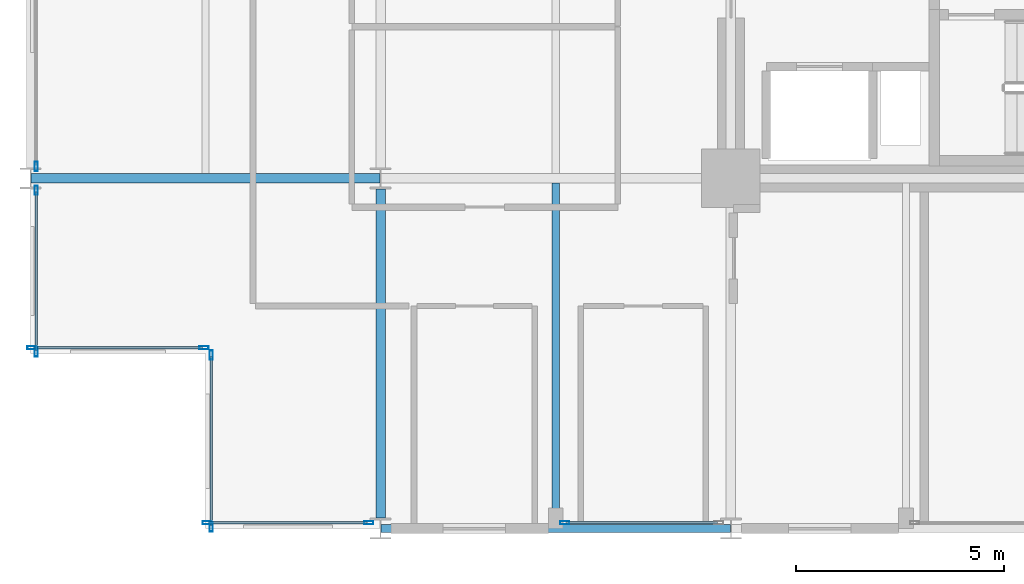
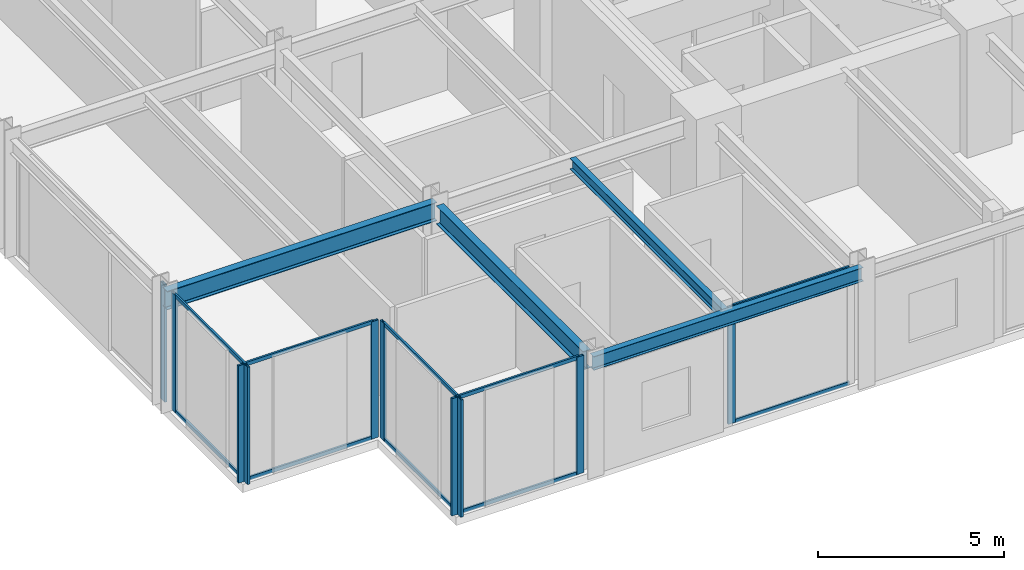
# One storey, part 4 of 26: 20 members, 4 beams, 6 elements without a shape of their own.
"""IFC4 building model written with IfcOpenShell, lengths in metres."""

from ifc_helpers import new_model, si_unit, direction, frame, origin, origin_2d, place, context, subcontext, project, spatial, hollow_rectangle, i_section, extrude, material, layer, layer_set, material_profile, profile_set, type_object, element, aggregate, save


model = new_model("IFC4")

# Units and contexts
model_context = context("Model", 3, precision=1e-05, world=origin(), true_north=direction((0.0, 1.0)))
body_context = subcontext(model_context, "Body", "Model", "MODEL_VIEW")
ifc_project = project(units=[si_unit("LENGTHUNIT", "METRE"), si_unit("AREAUNIT", "SQUARE_METRE"), si_unit("VOLUMEUNIT", "CUBIC_METRE"), si_unit("PLANEANGLEUNIT", "RADIAN"), si_unit("MASSUNIT", "GRAM", prefix="KILO")], contexts=[model_context])

# Site, building, storey
site_placement = place(None, origin())
site = spatial("IfcSite", under=ifc_project, at=site_placement, CompositionType="ELEMENT")
building_placement = place(site_placement, origin())
building = spatial("IfcBuilding", under=site, at=building_placement, Name="Nerrivon Quay Data Exchange", CompositionType="ELEMENT")
storey_placement = place(building_placement, frame((0.0, 0.0, 75.199951171875)))
storey = spatial("IfcBuildingStorey", under=building, at=storey_placement, Name="L17", CompositionType="ELEMENT", Elevation=75.199951171875)

# Beams
ifc_material_1 = material(Name="Steel Grade 350", Category="steel")
ifc_material_profile_1 = material_profile(ifc_material_1, i_section(OverallWidth=0.22900390625, OverallDepth=0.612060546875, WebThickness=0.011962890625, FlangeThickness=0.01953125, FilletRadius=0.013916015625, at=origin_2d()), Name="610UB125")
ifc_profile_set_1 = profile_set([ifc_material_profile_1], Name="Steel Grade 350")
beam_type_1 = type_object("IfcBeamType", Name="BM-G1-610UB125", PredefinedType="BEAM", material=ifc_profile_set_1)
beam_1_placement = place(storey_placement, frame((0.013916015625, 8.39990234375, 3.5439453125), z_axis=(1.0, 0.0, 0.0), x_axis=(0.0, 1.0, 0.0)))
element("IfcBeam", 1, at=beam_1_placement, inside=storey, type_object=beam_type_1, Name="L17 EW Girder Y=8.4 (0.0..8.4)", PredefinedType="BEAM", context=body_context, shape_type="SweptSolid", body=[
    extrude(i_section(OverallWidth=0.22900390625, OverallDepth=0.612060546875, WebThickness=0.011962890625, FlangeThickness=0.01953125, FilletRadius=0.013916015625, at=origin_2d()), origin(), (0.0, 0.0, 1.0), 8.3720703125),
])
ifc_material_profile_2 = material_profile(ifc_material_1, i_section(OverallWidth=0.22802734375, OverallDepth=0.60205078125, WebThickness=0.010498046875, FlangeThickness=0.014892578125, FilletRadius=0.013916015625, at=origin_2d()), Name="610UB101")
ifc_profile_set_2 = profile_set([ifc_material_profile_2], Name="Steel Grade 350")
beam_type_2 = type_object("IfcBeamType", Name="BM-G2-610UB101", PredefinedType="BEAM", material=ifc_profile_set_2)
beam_2_placement = place(storey_placement, frame((8.39990234375, 0.25, 3.549072265625), z_axis=(0.0, 1.0, 0.0), x_axis=(-1.0, 0.0, 0.0)))
element("IfcBeam", 2, at=beam_2_placement, inside=storey, type_object=beam_type_2, Name="L17 NS Girder X=8.4 (0.0..8.4)", PredefinedType="BEAM", context=body_context, shape_type="SweptSolid", body=[
    extrude(i_section(OverallWidth=0.22802734375, OverallDepth=0.60205078125, WebThickness=0.010498046875, FlangeThickness=0.014892578125, FilletRadius=0.013916015625, at=origin_2d()), origin(), (0.0, 0.0, 1.0), 7.89990234375),
])
ifc_material_profile_3 = material_profile(ifc_material_1, i_section(OverallWidth=0.172119140625, OverallDepth=0.35888671875, WebThickness=0.008056640625, FlangeThickness=0.012939453125, FilletRadius=0.011474609375, at=origin_2d()), Name="360UB56.7")
ifc_profile_set_3 = profile_set([ifc_material_profile_3], Name="Steel Grade 350")
beam_type_3 = type_object("IfcBeamType", Name="BM-J3-360UB57", PredefinedType="JOIST", material=ifc_profile_set_3)
beam_3_placement = place(storey_placement, frame((12.60009765625, 0.094970703125, 3.670654296875), z_axis=(0.0, 1.0, 0.0), x_axis=(-1.0, 0.0, 0.0)))
element("IfcBeam", 3, at=beam_3_placement, inside=storey, type_object=beam_type_3, Name="L17 Secondary Joist X=12.6 (0.0..8.4)", PredefinedType="JOIST", context=body_context, shape_type="SweptSolid", body=[
    extrude(i_section(OverallWidth=0.172119140625, OverallDepth=0.35888671875, WebThickness=0.008056640625, FlangeThickness=0.012939453125, FilletRadius=0.011474609375, at=origin_2d()), origin(), (0.0, 0.0, 1.0), 8.1904296875),
])
ifc_material_profile_4 = material_profile(ifc_material_1, i_section(OverallWidth=0.18994140625, OverallDepth=0.4541015625, WebThickness=0.008544921875, FlangeThickness=0.0126953125, FilletRadius=0.011474609375, at=origin_2d()), Name="460UB67.1")
ifc_profile_set_4 = profile_set([ifc_material_profile_4], Name="Steel Grade 350")
beam_type_4 = type_object("IfcBeamType", Name="BM-SP1-460UB67", PredefinedType="SPANDREL", material=ifc_profile_set_4)
beam_4_placement = place(storey_placement, frame((8.4140625, 0.0, 3.623046875), z_axis=(1.0, 0.0, 0.0), x_axis=(0.0, 1.0, 0.0)))
element("IfcBeam", 4, at=beam_4_placement, inside=storey, type_object=beam_type_4, Name="L17 EW Girder Y=0.0 (8.4..16.8)", PredefinedType="SPANDREL", context=body_context, shape_type="SweptSolid", body=[
    extrude(i_section(OverallWidth=0.18994140625, OverallDepth=0.4541015625, WebThickness=0.008544921875, FlangeThickness=0.0126953125, FilletRadius=0.011474609375, at=origin_2d()), origin(), (0.0, 0.0, 1.0), 8.371826171875),
])

# Curtain wall, member
ifc_material_2 = material(Name="Anodised aluminium 6063-T6", Category="aluminium")
ifc_layer = layer(ifc_material_2, 0.219970703125)
ifc_layer_set = layer_set([ifc_layer], Name="Anodised aluminium 6063-T6")
curtain_wall_type = type_object("IfcCurtainWallType", Name="CW-SYS-01", PredefinedType="NOTDEFINED", material=ifc_layer_set)
curtain_wall_1_placement = place(storey_placement, origin())
curtain_wall_1 = element("IfcCurtainWall", 5, at=curtain_wall_1_placement, inside=storey, type_object=curtain_wall_type, Name="L17 Unitised Curtain Wall 12", PredefinedType="NOTDEFINED")
ifc_material_profile_5 = material_profile(ifc_material_2, hollow_rectangle(XDim=0.074951171875, YDim=0.219970703125, WallThickness=0.00390625, at=origin_2d()), Name="ALU-MULL-220x75")
ifc_profile_set_5 = profile_set([ifc_material_profile_5], Name="Anodised aluminium 6063-T6")
member_type_1 = type_object("IfcMemberType", Name="CWM-220x75", PredefinedType="MULLION", material=ifc_profile_set_5)
member_1_placement = place(storey_placement, frame((12.8125, 0.139892578125, 0.0), z_axis=(0.0, 0.0, 1.0), x_axis=(0.0, -1.0, 0.0)))
member_1 = element("IfcMember", 6, at=member_1_placement, type_object=member_type_1, Name="CW01 mullion 2", PredefinedType="MULLION", context=body_context, shape_type="SweptSolid", body=[
    extrude(hollow_rectangle(XDim=0.074951171875, YDim=0.219970703125, WallThickness=0.00390625, at=origin_2d()), origin(), (0.0, 0.0, 1.0), 3.85009765625),
])

# Curtain wall, members
curtain_wall_2_placement = place(storey_placement, origin())
curtain_wall_2 = element("IfcCurtainWall", 7, at=curtain_wall_2_placement, inside=storey, type_object=curtain_wall_type, Name="L17 Unitised Curtain Wall 14", PredefinedType="NOTDEFINED")
member_2_placement = place(storey_placement, frame((8.112548828125, 0.139892578125, 0.0), z_axis=(0.0, 0.0, 1.0), x_axis=(0.0, -1.0, 0.0)))
member_2 = element("IfcMember", 8, at=member_2_placement, type_object=member_type_1, Name="CW01 mullion 1", PredefinedType="MULLION", context=body_context, shape_type="SweptSolid", body=[
    extrude(hollow_rectangle(XDim=0.074951171875, YDim=0.219970703125, WallThickness=0.00390625, at=origin_2d()), origin(), (0.0, 0.0, 1.0), 3.85009765625),
])
member_3_placement = place(storey_placement, frame((4.237548828125, 0.139892578125, 0.0), z_axis=(0.0, 0.0, 1.0), x_axis=(0.0, -1.0, 0.0)))
member_3 = element("IfcMember", 9, at=member_3_placement, type_object=member_type_1, Name="CW01 mullion 2", PredefinedType="MULLION", context=body_context, shape_type="SweptSolid", body=[
    extrude(hollow_rectangle(XDim=0.074951171875, YDim=0.219970703125, WallThickness=0.00390625, at=origin_2d()), origin(), (0.0, 0.0, 1.0), 3.85009765625),
])

curtain_wall_3_placement = place(storey_placement, origin())
curtain_wall_3 = element("IfcCurtainWall", 10, at=curtain_wall_3_placement, inside=storey, type_object=curtain_wall_type, Name="L17 Unitised Curtain Wall 15", PredefinedType="NOTDEFINED")
member_4_placement = place(storey_placement, frame((4.340087890625, 0.03759765625, 0.0), z_axis=(0.0, 0.0, 1.0), x_axis=(-1.0, 0.0, 0.0)))
member_4 = element("IfcMember", 11, at=member_4_placement, type_object=member_type_1, Name="CW01 mullion 1", PredefinedType="MULLION", context=body_context, shape_type="SweptSolid", body=[
    extrude(hollow_rectangle(XDim=0.074951171875, YDim=0.219970703125, WallThickness=0.00390625, at=origin_2d()), origin(), (0.0, 0.0, 1.0), 3.85009765625),
])
member_5_placement = place(storey_placement, frame((4.340087890625, 4.16259765625, 0.0), z_axis=(0.0, 0.0, 1.0), x_axis=(-1.0, 0.0, 0.0)))
member_5 = element("IfcMember", 12, at=member_5_placement, type_object=member_type_1, Name="CW01 mullion 2", PredefinedType="MULLION", context=body_context, shape_type="SweptSolid", body=[
    extrude(hollow_rectangle(XDim=0.074951171875, YDim=0.219970703125, WallThickness=0.00390625, at=origin_2d()), origin(), (0.0, 0.0, 1.0), 3.85009765625),
])

curtain_wall_4_placement = place(storey_placement, origin())
curtain_wall_4 = element("IfcCurtainWall", 13, at=curtain_wall_4_placement, inside=storey, type_object=curtain_wall_type, Name="L17 Unitised Curtain Wall 16", PredefinedType="NOTDEFINED")
member_6_placement = place(storey_placement, frame((4.16259765625, 4.340087890625, 0.0), z_axis=(0.0, 0.0, 1.0), x_axis=(0.0, -1.0, 0.0)))
member_6 = element("IfcMember", 14, at=member_6_placement, type_object=member_type_1, Name="CW01 mullion 1", PredefinedType="MULLION", context=body_context, shape_type="SweptSolid", body=[
    extrude(hollow_rectangle(XDim=0.074951171875, YDim=0.219970703125, WallThickness=0.00390625, at=origin_2d()), origin(), (0.0, 0.0, 1.0), 3.85009765625),
])
member_7_placement = place(storey_placement, frame((0.03759765625, 4.340087890625, 0.0), z_axis=(0.0, 0.0, 1.0), x_axis=(0.0, -1.0, 0.0)))
member_7 = element("IfcMember", 15, at=member_7_placement, type_object=member_type_1, Name="CW01 mullion 2", PredefinedType="MULLION", context=body_context, shape_type="SweptSolid", body=[
    extrude(hollow_rectangle(XDim=0.074951171875, YDim=0.219970703125, WallThickness=0.00390625, at=origin_2d()), origin(), (0.0, 0.0, 1.0), 3.85009765625),
])

curtain_wall_5_placement = place(storey_placement, origin())
curtain_wall_5 = element("IfcCurtainWall", 16, at=curtain_wall_5_placement, inside=storey, type_object=curtain_wall_type, Name="L17 Unitised Curtain Wall 17", PredefinedType="NOTDEFINED")
member_8_placement = place(storey_placement, frame((0.139892578125, 4.237548828125, 0.0), z_axis=(0.0, 0.0, 1.0), x_axis=(-1.0, 0.0, 0.0)))
member_8 = element("IfcMember", 17, at=member_8_placement, type_object=member_type_1, Name="CW01 mullion 1", PredefinedType="MULLION", context=body_context, shape_type="SweptSolid", body=[
    extrude(hollow_rectangle(XDim=0.074951171875, YDim=0.219970703125, WallThickness=0.00390625, at=origin_2d()), origin(), (0.0, 0.0, 1.0), 3.85009765625),
])
member_9_placement = place(storey_placement, frame((0.139892578125, 8.112548828125, 0.0), z_axis=(0.0, 0.0, 1.0), x_axis=(-1.0, 0.0, 0.0)))
member_9 = element("IfcMember", 18, at=member_9_placement, type_object=member_type_1, Name="CW01 mullion 2", PredefinedType="MULLION", context=body_context, shape_type="SweptSolid", body=[
    extrude(hollow_rectangle(XDim=0.074951171875, YDim=0.219970703125, WallThickness=0.00390625, at=origin_2d()), origin(), (0.0, 0.0, 1.0), 3.85009765625),
])

# Curtain wall, member
curtain_wall_6_placement = place(storey_placement, origin())
curtain_wall_6 = element("IfcCurtainWall", 19, at=curtain_wall_6_placement, inside=storey, type_object=curtain_wall_type, Name="L17 Unitised Curtain Wall 18", PredefinedType="NOTDEFINED")
member_10_placement = place(storey_placement, frame((0.139892578125, 8.6875, 0.0), z_axis=(0.0, 0.0, 1.0), x_axis=(-1.0, 0.0, 0.0)))
member_10 = element("IfcMember", 20, at=member_10_placement, type_object=member_type_1, Name="CW01 mullion 1", PredefinedType="MULLION", context=body_context, shape_type="SweptSolid", body=[
    extrude(hollow_rectangle(XDim=0.074951171875, YDim=0.219970703125, WallThickness=0.00390625, at=origin_2d()), origin(), (0.0, 0.0, 1.0), 3.85009765625),
])
aggregate(curtain_wall_6, [member_10])

# Member
ifc_material_profile_6 = material_profile(ifc_material_2, hollow_rectangle(XDim=0.06005859375, YDim=0.1201171875, WallThickness=0.003173828125, at=origin_2d()), Name="ALU-TRAN-120x60")
ifc_profile_set_6 = profile_set([ifc_material_profile_6], Name="Anodised aluminium 6063-T6")
member_type_2 = type_object("IfcMemberType", Name="CWT-120x60", PredefinedType="USERDEFINED", material=ifc_profile_set_6)
member_11_placement = place(storey_placement, frame((16.47509765625, 0.139892578125, 0.032470703125), z_axis=(-1.0, 0.0, 0.0), x_axis=(0.0, -1.0, 0.0)))
member_11 = element("IfcMember", 21, at=member_11_placement, type_object=member_type_2, Name="CW01 transom 1.1", ObjectType="TRANSOM", PredefinedType="USERDEFINED", context=body_context, shape_type="SweptSolid", body=[
    extrude(hollow_rectangle(XDim=0.06005859375, YDim=0.1201171875, WallThickness=0.003173828125, at=origin_2d()), origin(), (0.0, 0.0, 1.0), 3.625),
])

member_12_placement = place(storey_placement, frame((16.47509765625, 0.139892578125, 3.817626953125), z_axis=(-1.0, 0.0, 0.0), x_axis=(0.0, -1.0, 0.0)))
member_12 = element("IfcMember", 22, at=member_12_placement, type_object=member_type_2, Name="CW01 transom 1.2", ObjectType="TRANSOM", PredefinedType="USERDEFINED", context=body_context, shape_type="SweptSolid", body=[
    extrude(hollow_rectangle(XDim=0.06005859375, YDim=0.1201171875, WallThickness=0.003173828125, at=origin_2d()), origin(), (0.0, 0.0, 1.0), 3.625),
])

aggregate(curtain_wall_1, [member_1, member_11, member_12])

member_13_placement = place(storey_placement, frame((8.074951171875, 0.139892578125, 0.032470703125), z_axis=(-1.0, 0.0, 0.0), x_axis=(0.0, -1.0, 0.0)))
member_13 = element("IfcMember", 23, at=member_13_placement, type_object=member_type_2, Name="CW01 transom 1.1", ObjectType="TRANSOM", PredefinedType="USERDEFINED", context=body_context, shape_type="SweptSolid", body=[
    extrude(hollow_rectangle(XDim=0.06005859375, YDim=0.1201171875, WallThickness=0.003173828125, at=origin_2d()), origin(), (0.0, 0.0, 1.0), 3.800048828125),
])

member_14_placement = place(storey_placement, frame((8.074951171875, 0.139892578125, 3.817626953125), z_axis=(-1.0, 0.0, 0.0), x_axis=(0.0, -1.0, 0.0)))
member_14 = element("IfcMember", 24, at=member_14_placement, type_object=member_type_2, Name="CW01 transom 1.2", ObjectType="TRANSOM", PredefinedType="USERDEFINED", context=body_context, shape_type="SweptSolid", body=[
    extrude(hollow_rectangle(XDim=0.06005859375, YDim=0.1201171875, WallThickness=0.003173828125, at=origin_2d()), origin(), (0.0, 0.0, 1.0), 3.800048828125),
])

aggregate(curtain_wall_2, [member_2, member_3, member_13, member_14])

member_15_placement = place(storey_placement, frame((4.340087890625, 0.074951171875, 0.032470703125), z_axis=(0.0, 1.0, 0.0), x_axis=(-1.0, 0.0, 0.0)))
member_15 = element("IfcMember", 25, at=member_15_placement, type_object=member_type_2, Name="CW01 transom 1.1", ObjectType="TRANSOM", PredefinedType="USERDEFINED", context=body_context, shape_type="SweptSolid", body=[
    extrude(hollow_rectangle(XDim=0.06005859375, YDim=0.1201171875, WallThickness=0.003173828125, at=origin_2d()), origin(), (0.0, 0.0, 1.0), 4.050048828125),
])

member_16_placement = place(storey_placement, frame((4.340087890625, 0.074951171875, 3.817626953125), z_axis=(0.0, 1.0, 0.0), x_axis=(-1.0, 0.0, 0.0)))
member_16 = element("IfcMember", 26, at=member_16_placement, type_object=member_type_2, Name="CW01 transom 1.2", ObjectType="TRANSOM", PredefinedType="USERDEFINED", context=body_context, shape_type="SweptSolid", body=[
    extrude(hollow_rectangle(XDim=0.06005859375, YDim=0.1201171875, WallThickness=0.003173828125, at=origin_2d()), origin(), (0.0, 0.0, 1.0), 4.050048828125),
])

aggregate(curtain_wall_3, [member_4, member_5, member_15, member_16])

member_17_placement = place(storey_placement, frame((4.125, 4.340087890625, 0.032470703125), z_axis=(-1.0, 0.0, 0.0), x_axis=(0.0, -1.0, 0.0)))
member_17 = element("IfcMember", 27, at=member_17_placement, type_object=member_type_2, Name="CW01 transom 1.1", ObjectType="TRANSOM", PredefinedType="USERDEFINED", context=body_context, shape_type="SweptSolid", body=[
    extrude(hollow_rectangle(XDim=0.06005859375, YDim=0.1201171875, WallThickness=0.003173828125, at=origin_2d()), origin(), (0.0, 0.0, 1.0), 4.050048828125),
])

member_18_placement = place(storey_placement, frame((4.125, 4.340087890625, 3.817626953125), z_axis=(-1.0, 0.0, 0.0), x_axis=(0.0, -1.0, 0.0)))
member_18 = element("IfcMember", 28, at=member_18_placement, type_object=member_type_2, Name="CW01 transom 1.2", ObjectType="TRANSOM", PredefinedType="USERDEFINED", context=body_context, shape_type="SweptSolid", body=[
    extrude(hollow_rectangle(XDim=0.06005859375, YDim=0.1201171875, WallThickness=0.003173828125, at=origin_2d()), origin(), (0.0, 0.0, 1.0), 4.050048828125),
])

aggregate(curtain_wall_4, [member_6, member_7, member_17, member_18])

member_19_placement = place(storey_placement, frame((0.139892578125, 4.27490234375, 0.032470703125), z_axis=(0.0, 1.0, 0.0), x_axis=(-1.0, 0.0, 0.0)))
member_19 = element("IfcMember", 29, at=member_19_placement, type_object=member_type_2, Name="CW01 transom 1.1", ObjectType="TRANSOM", PredefinedType="USERDEFINED", context=body_context, shape_type="SweptSolid", body=[
    extrude(hollow_rectangle(XDim=0.06005859375, YDim=0.1201171875, WallThickness=0.003173828125, at=origin_2d()), origin(), (0.0, 0.0, 1.0), 3.800048828125),
])

member_20_placement = place(storey_placement, frame((0.139892578125, 4.27490234375, 3.817626953125), z_axis=(0.0, 1.0, 0.0), x_axis=(-1.0, 0.0, 0.0)))
member_20 = element("IfcMember", 30, at=member_20_placement, type_object=member_type_2, Name="CW01 transom 1.2", ObjectType="TRANSOM", PredefinedType="USERDEFINED", context=body_context, shape_type="SweptSolid", body=[
    extrude(hollow_rectangle(XDim=0.06005859375, YDim=0.1201171875, WallThickness=0.003173828125, at=origin_2d()), origin(), (0.0, 0.0, 1.0), 3.800048828125),
])

aggregate(curtain_wall_5, [member_8, member_9, member_19, member_20])

save(model, "model.ifc")
